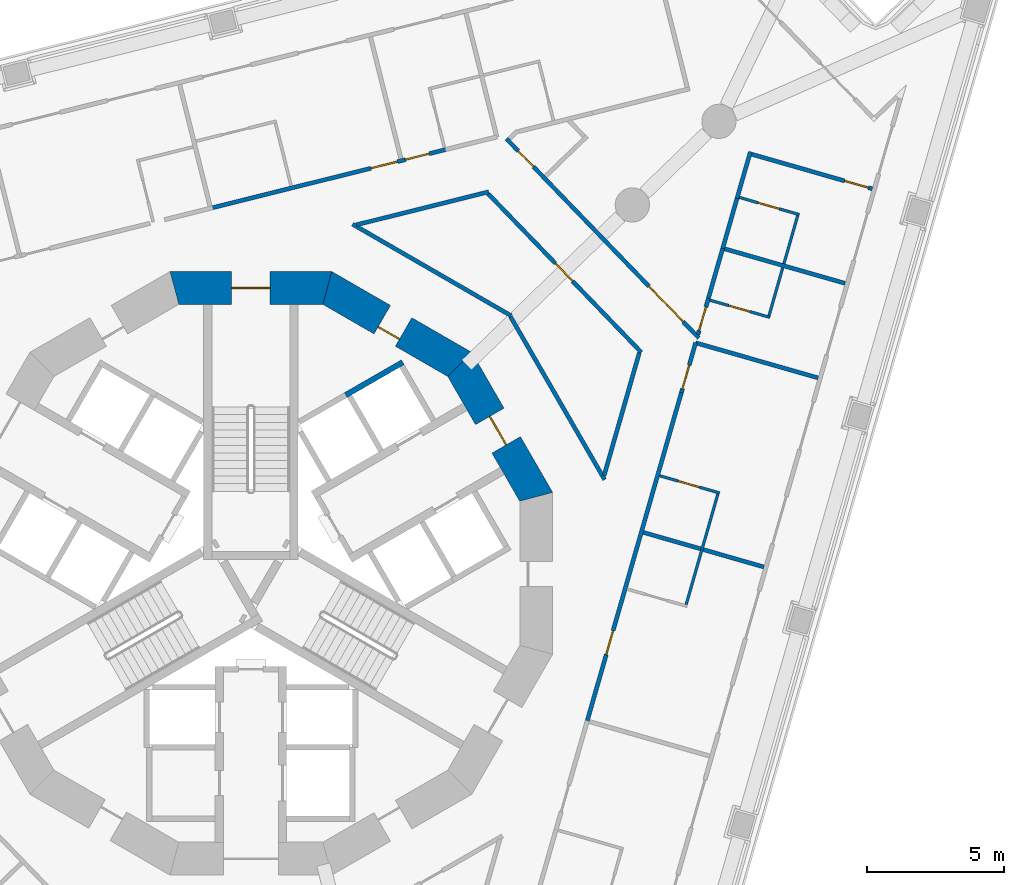
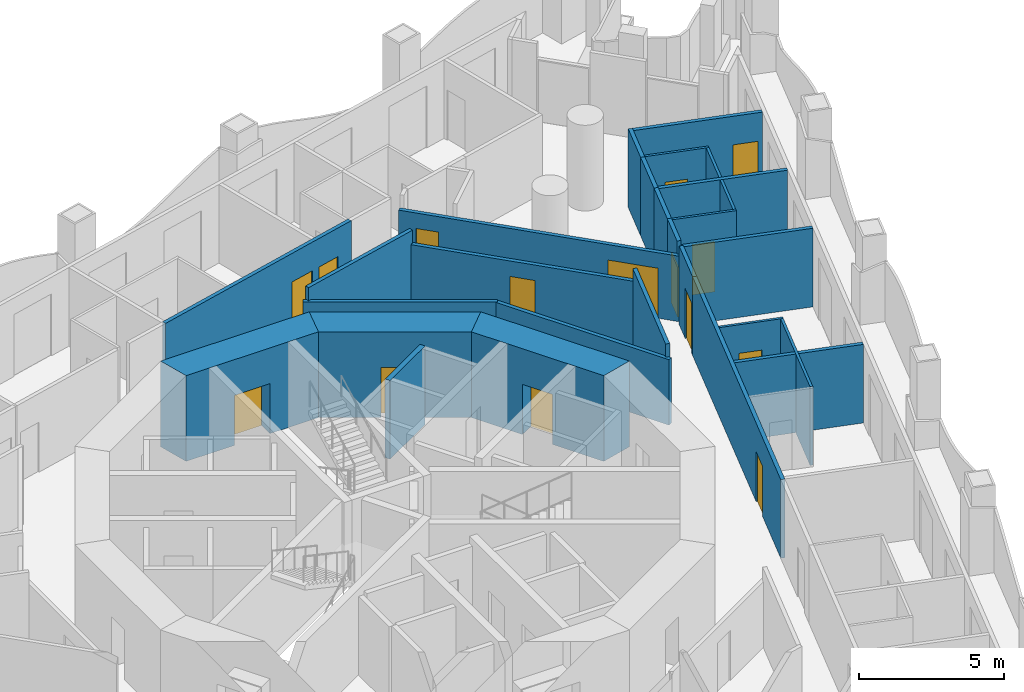
# One storey, part 9 of 18: 27 walls, 15 doors, 15 openings.
"""IFC4 building model written with IfcOpenShell, lengths in metres."""

from ifc_helpers import new_model, si_unit, direction, frame, frame_2d, origin, place, context, subcontext, project, spatial, polyline, rectangle, outline, extrude, material, layer, layer_set, type_object, element, fill, save


model = new_model("IFC4")

# Units and contexts
model_context = context("Model", 3, precision=1e-05, world=origin(), true_north=direction((0.0, 1.0)))
body_context = subcontext(model_context, "Body", "Model", "MODEL_VIEW")
ifc_project = project(units=[si_unit("LENGTHUNIT", "METRE"), si_unit("AREAUNIT", "SQUARE_METRE"), si_unit("VOLUMEUNIT", "CUBIC_METRE"), si_unit("PLANEANGLEUNIT", "RADIAN"), si_unit("MASSUNIT", "GRAM", prefix="KILO")], contexts=[model_context])

# Site, building, storey
site_placement = place(None, origin())
site = spatial("IfcSite", under=ifc_project, at=site_placement, CompositionType="ELEMENT")
building_placement = place(site_placement, origin())
building = spatial("IfcBuilding", under=site, at=building_placement, Name="Trine Commons Tower", CompositionType="ELEMENT")
storey_placement = place(building_placement, frame((0.0, 0.0, 90.89990234375)))
storey = spatial("IfcBuildingStorey", under=building, at=storey_placement, Name="L22", CompositionType="ELEMENT", Elevation=90.89990234375)

# Wall, opening, door
ifc_material_1 = material(Name="Concrete C70/85", Category="concrete")
ifc_layer_1 = layer(ifc_material_1, 1.199951171875)
ifc_layer_set_1 = layer_set([ifc_layer_1], Name="Concrete C70/85")
wall_type_1 = type_object("IfcWallType", Name="RC shear wall 1200 mm, C70/85", PredefinedType="SHEAR", material=ifc_layer_set_1)
wall_1_placement = place(storey_placement, frame((90.491943359375, 65.150390625, 0.0), z_axis=(0.0, 0.0, 1.0), x_axis=(-0.499979111662, 0.866037463336, 0.0)))
wall_1 = element("IfcWall", 1, at=wall_1_placement, inside=storey, type_object=wall_type_1, Name="Core wall CWC-02 L22", PredefinedType="SHEAR", context=body_context, shape_type="SweptSolid", body=[
    extrude(outline(polyline([(0.0, -0.60009765625), (5.901123046875, -0.60009765625), (5.57958984375, 0.60009765625), (0.321533203125, 0.60009765625), (0.0, -0.60009765625)])), origin(), (0.0, 0.0, 1.0), 3.60009765625),
])
opening_1_placement = place(wall_1_placement, frame((2.3505859375, 0.0, 0.0)))
opening_1 = element("IfcOpeningElement", 2, at=opening_1_placement, cuts=wall_1, Name="Opening K05.04", PredefinedType="OPENING", context=body_context, shape_type="SweptSolid", body=[
    extrude(rectangle(XDim=1.199951171875, YDim=2.10009765625, at=frame_2d((0.60009765625, 1.050048828125))), frame((0.0, 0.60986328125, 0.0), z_axis=(0.0, -1.0, 0.0), x_axis=(1.0, 0.0, 0.0)), (0.0, 0.0, 1.0), 1.219970703125),
])
ifc_material_2 = material(Name="Steel door leaves, fire-rated", Category="steel")
door_type_1 = type_object("IfcDoorType", Name="Lobby door, double leaf 1200 x 2100, FD60", OperationType="DOUBLE_DOOR_SINGLE_SWING", PredefinedType="DOOR", material=ifc_material_2)
door_1_placement = place(opening_1_placement, origin())
door_1 = element("IfcDoor", 3, at=door_1_placement, inside=storey, type_object=door_type_1, Name="Lobby door, Passenger lift lobby A L22", OperationType="DOUBLE_DOOR_SINGLE_SWING", OverallHeight=2.10009765625, OverallWidth=1.199951171875, PredefinedType="DOOR", context=body_context, shape_type="SweptSolid", body=[
    extrude(rectangle(XDim=1.199951171875, YDim=2.10009765625, at=frame_2d((0.60009765625, 1.050048828125))), frame((0.0, 0.02490234375, 0.0), z_axis=(0.0, -1.0, 0.0), x_axis=(1.0, 0.0, 0.0)), (0.0, 0.0, 1.0), 0.050048828125),
])
fill(opening_1, door_1)

wall_2_placement = place(storey_placement, frame((87.760986328125, 70.04150390625, 0.0), z_axis=(0.0, 0.0, 1.0), x_axis=(-0.866037463336, 0.499979111662, 0.0)))
wall_2 = element("IfcWall", 4, at=wall_2_placement, inside=storey, type_object=wall_type_1, Name="Core wall CWC-03 L22", PredefinedType="SHEAR", context=body_context, shape_type="SweptSolid", body=[
    extrude(outline(polyline([(0.0, -0.60009765625), (5.901123046875, -0.60009765625), (5.57958984375, 0.60009765625), (0.321533203125, 0.60009765625), (0.0, -0.60009765625)])), origin(), (0.0, 0.0, 1.0), 3.60009765625),
])
opening_2_placement = place(wall_2_placement, frame((2.526611328125, 0.0, 0.0)))
opening_2 = element("IfcOpeningElement", 5, at=opening_2_placement, cuts=wall_2, Name="Opening K05.11", PredefinedType="OPENING", context=body_context, shape_type="SweptSolid", body=[
    extrude(rectangle(XDim=0.89990234375, YDim=2.10009765625, at=frame_2d((0.449951171875, 1.050048828125))), frame((0.0, 0.60986328125, 0.0), z_axis=(0.0, -1.0, 0.0), x_axis=(1.0, 0.0, 0.0)), (0.0, 0.0, 1.0), 1.219970703125),
])
ifc_material_3 = material(Name="Steel door leaf, fire-rated", Category="steel")
door_type_2 = type_object("IfcDoorType", Name="Core room door, single leaf 900 x 2100, FD30S", OperationType="SINGLE_SWING_LEFT", PredefinedType="DOOR", material=ifc_material_3)
door_2_placement = place(opening_2_placement, origin())
door_2 = element("IfcDoor", 6, at=door_2_placement, inside=storey, type_object=door_type_2, Name="Door to Core WC L22", OperationType="SINGLE_SWING_RIGHT", OverallHeight=2.10009765625, OverallWidth=0.89990234375, PredefinedType="DOOR", context=body_context, shape_type="SweptSolid", body=[
    extrude(rectangle(XDim=0.89990234375, YDim=2.10009765625, at=frame_2d((0.449951171875, 1.050048828125))), frame((0.0, 0.3251953125, 0.0), z_axis=(0.0, -1.0, 0.0), x_axis=(1.0, 0.0, 0.0)), (0.0, 0.0, 1.0), 0.050048828125),
])
fill(opening_2, door_2)

wall_3_placement = place(storey_placement, frame((82.950439453125, 72.91162109375, 0.0), z_axis=(0.0, 0.0, 1.0), x_axis=(-1.0, 0.0, 0.0)))
wall_3 = element("IfcWall", 7, at=wall_3_placement, inside=storey, type_object=wall_type_1, Name="Core wall CWC-04 L22", PredefinedType="SHEAR", context=body_context, shape_type="SweptSolid", body=[
    extrude(outline(polyline([(0.0, -0.60009765625), (5.90087890625, -0.60009765625), (5.57958984375, 0.60009765625), (0.321533203125, 0.60009765625), (0.0, -0.60009765625)])), origin(), (0.0, 0.0, 1.0), 3.60009765625),
])
opening_3_placement = place(wall_3_placement, frame((2.25048828125, 0.0, 0.0)))
opening_3 = element("IfcOpeningElement", 8, at=opening_3_placement, cuts=wall_3, Name="Opening K05.01", PredefinedType="OPENING", context=body_context, shape_type="SweptSolid", body=[
    extrude(rectangle(XDim=1.39990234375, YDim=2.10009765625, at=frame_2d((0.699951171875, 1.050048828125))), frame((0.0, 0.60986328125, 0.0), z_axis=(0.0, -1.0, 0.0), x_axis=(1.0, 0.0, 0.0)), (0.0, 0.0, 1.0), 1.219970703125),
])
door_type_3 = type_object("IfcDoorType", Name="Stair door, double leaf 1400 x 2100, FD90", OperationType="DOUBLE_DOOR_SINGLE_SWING", PredefinedType="DOOR", material=ifc_material_2)
door_3_placement = place(opening_3_placement, origin())
door_3 = element("IfcDoor", 9, at=door_3_placement, inside=storey, type_object=door_type_3, Name="Stair door to Exit stair ST1A L22", OperationType="DOUBLE_DOOR_SINGLE_SWING", OverallHeight=2.10009765625, OverallWidth=1.39990234375, PredefinedType="DOOR", context=body_context, shape_type="SweptSolid", body=[
    extrude(rectangle(XDim=1.39990234375, YDim=2.10009765625, at=frame_2d((0.699951171875, 1.050048828125))), frame((0.0, 0.02490234375, 0.0), z_axis=(0.0, -1.0, 0.0), x_axis=(1.0, 0.0, 0.0)), (0.0, 0.0, 1.0), 0.050048828125),
])
fill(opening_3, door_3)

# Wall
ifc_material_4 = material(Name="Fire-rated gypsum shaft wall system")
ifc_layer_2 = layer(ifc_material_4, 0.199951171875)
ifc_layer_set_2 = layer_set([ifc_layer_2], Name="Fire-rated gypsum shaft wall system")
wall_type_2 = type_object("IfcWallType", Name="Shaft wall 200 mm, EI 120", PredefinedType="PARTITIONING", material=ifc_layer_set_2)
wall_4_placement = place(storey_placement, frame((83.4619140625, 69.001953125, 0.0), z_axis=(0.0, 0.0, 1.0), x_axis=(0.866202511239, 0.499693115345, 0.0)))
element("IfcWall", 10, at=wall_4_placement, inside=storey, type_object=wall_type_2, Name="Shaft wall L22", PredefinedType="PARTITIONING", context=body_context, shape_type="SweptSolid", body=[
    extrude(rectangle(XDim=2.4013671875, YDim=0.199951171875, at=frame_2d((1.20068359375, 0.0))), origin(), (0.0, 0.0, 1.0), 3.300048828125),
])

# Wall, openings, doors
ifc_material_5 = material(Name="Gypsum plasterboard on steel stud", Category="steel")
ifc_layer_3 = layer(ifc_material_5, 0.14990234375)
ifc_layer_set_3 = layer_set([ifc_layer_3], Name="Gypsum plasterboard on steel stud")
wall_type_3 = type_object("IfcWallType", Name="Unit and corridor wall 150 mm, EI 60", PredefinedType="PARTITIONING", material=ifc_layer_set_3)
wall_5_placement = place(storey_placement, frame((78.52392578125, 75.820068359375, 0.0), z_axis=(0.0, 0.0, 1.0), x_axis=(0.970312206825, 0.241855786133, 0.0)))
wall_5 = element("IfcWall", 11, at=wall_5_placement, inside=storey, type_object=wall_type_3, Name="Partition 063", PredefinedType="PARTITIONING", context=body_context, shape_type="SweptSolid", body=[
    extrude(rectangle(XDim=8.873046875, YDim=0.14990234375, at=frame_2d((4.4365234375, 0.0))), origin(), (0.0, 0.0, 1.0), 3.300048828125),
])
opening_4_placement = place(wall_5_placement, frame((6.0302734375, 0.0, 0.0)))
opening_4 = element("IfcOpeningElement", 12, at=opening_4_placement, cuts=wall_5, Name="Opening D-3A12", PredefinedType="OPENING", context=body_context, shape_type="SweptSolid", body=[
    extrude(rectangle(XDim=1.0, YDim=2.10009765625, at=frame_2d((0.5, 1.050048828125))), frame((0.0, 0.0849609375, 0.0), z_axis=(0.0, -1.0, 0.0), x_axis=(1.0, 0.0, 0.0)), (0.0, 0.0, 1.0), 0.169921875),
])
opening_5_placement = place(wall_5_placement, frame((7.330322265625, 0.0, 0.0)))
opening_5 = element("IfcOpeningElement", 13, at=opening_5_placement, cuts=wall_5, Name="Opening D-3A13", PredefinedType="OPENING", context=body_context, shape_type="SweptSolid", body=[
    extrude(rectangle(XDim=0.89990234375, YDim=2.10009765625, at=frame_2d((0.449951171875, 1.050048828125))), frame((0.0, 0.0849609375, 0.0), z_axis=(0.0, -1.0, 0.0), x_axis=(1.0, 0.0, 0.0)), (0.0, 0.0, 1.0), 0.169921875),
])
ifc_material_6 = material(Name="Timber fire door set", Category="wood")
door_type_4 = type_object("IfcDoorType", Name="Bedroom door 1000 x 2100, FD30S", OperationType="NOTDEFINED", PredefinedType="DOOR", material=ifc_material_6)
door_4_placement = place(opening_4_placement, origin())
door_4 = element("IfcDoor", 14, at=door_4_placement, inside=storey, type_object=door_type_4, Name="Door D-3A12", OperationType="SINGLE_SWING_RIGHT", OverallHeight=2.10009765625, OverallWidth=1.0, PredefinedType="DOOR", context=body_context, shape_type="SweptSolid", body=[
    extrude(rectangle(XDim=1.0, YDim=2.10009765625, at=frame_2d((0.5, 1.050048828125))), frame((0.0, 0.02490234375, 0.0), z_axis=(0.0, -1.0, 0.0), x_axis=(1.0, 0.0, 0.0)), (0.0, 0.0, 1.0), 0.050048828125),
])
fill(opening_4, door_4)
door_type_5 = type_object("IfcDoorType", Name="Bedroom door 900 x 2100, FD30S", OperationType="NOTDEFINED", PredefinedType="DOOR", material=ifc_material_6)
door_5_placement = place(opening_5_placement, origin())
door_5 = element("IfcDoor", 15, at=door_5_placement, inside=storey, type_object=door_type_5, Name="Door D-3A13", OperationType="SINGLE_SWING_RIGHT", OverallHeight=2.10009765625, OverallWidth=0.89990234375, PredefinedType="DOOR", context=body_context, shape_type="SweptSolid", body=[
    extrude(rectangle(XDim=0.89990234375, YDim=2.10009765625, at=frame_2d((0.449951171875, 1.050048828125))), frame((0.0, 0.02490234375, 0.0), z_axis=(0.0, -1.0, 0.0), x_axis=(1.0, 0.0, 0.0)), (0.0, 0.0, 1.0), 0.050048828125),
])
fill(opening_5, door_5)

# Walls
wall_6_placement = place(storey_placement, frame((83.7119140625, 75.237548828125, 0.0), z_axis=(0.0, 0.0, 1.0), x_axis=(0.866033484359, -0.499986003774, 0.0)))
element("IfcWall", 16, at=wall_6_placement, inside=storey, type_object=wall_type_3, Name="Partition 074", PredefinedType="PARTITIONING", context=body_context, shape_type="SweptSolid", body=[
    extrude(rectangle(XDim=6.682373046875, YDim=0.14990234375, at=frame_2d((3.34130859375, 0.0))), origin(), (0.0, 0.0, 1.0), 2.75),
])
wall_7_placement = place(storey_placement, frame((83.852783203125, 75.216064453125, 0.0), z_axis=(0.0, 0.0, 1.0), x_axis=(0.970312588938, 0.241854253112, 0.0)))
element("IfcWall", 17, at=wall_7_placement, inside=storey, type_object=wall_type_3, Name="Partition 075", PredefinedType="PARTITIONING", context=body_context, shape_type="SweptSolid", body=[
    extrude(rectangle(XDim=4.974609375, YDim=0.14990234375, at=frame_2d((2.4873046875, 0.0))), origin(), (0.0, 0.0, 1.0), 3.300048828125),
])

# Wall, opening, door
wall_8_placement = place(storey_placement, frame((88.6591796875, 76.34716796875, 0.0), z_axis=(0.0, 0.0, 1.0), x_axis=(0.694672534157, -0.719326122345, 0.0)))
wall_8 = element("IfcWall", 18, at=wall_8_placement, inside=storey, type_object=wall_type_3, Name="Partition 094", PredefinedType="PARTITIONING", context=body_context, shape_type="SweptSolid", body=[
    extrude(rectangle(XDim=8.041015625, YDim=0.14990234375, at=frame_2d((4.0205078125, 0.0))), origin(), (0.0, 0.0, 1.0), 2.75),
])
opening_6_placement = place(wall_8_placement, frame((3.533203125, 0.0, 0.0)))
opening_6 = element("IfcOpeningElement", 19, at=opening_6_placement, cuts=wall_8, Name="Opening D-3A29", PredefinedType="OPENING", context=body_context, shape_type="SweptSolid", body=[
    extrude(rectangle(XDim=0.89990234375, YDim=2.10009765625, at=frame_2d((0.449951171875, 1.050048828125))), frame((0.0, 0.0849609375, 0.0), z_axis=(0.0, -1.0, 0.0), x_axis=(1.0, 0.0, 0.0)), (0.0, 0.0, 1.0), 0.169921875),
])
door_type_6 = type_object("IfcDoorType", Name="Service door 900 x 2100, FD30S", OperationType="NOTDEFINED", PredefinedType="DOOR", material=ifc_material_6)
door_6_placement = place(opening_6_placement, frame((0.89990234375, 0.0, 0.0), z_axis=(0.0, 0.0, 1.0), x_axis=(-1.0, 0.0, 0.0)))
door_6 = element("IfcDoor", 20, at=door_6_placement, inside=storey, type_object=door_type_6, Name="Door D-3A29", OperationType="SINGLE_SWING_RIGHT", OverallHeight=2.10009765625, OverallWidth=0.89990234375, PredefinedType="DOOR", context=body_context, shape_type="SweptSolid", body=[
    extrude(rectangle(XDim=0.89990234375, YDim=2.10009765625, at=frame_2d((0.449951171875, 1.050048828125))), frame((0.0, 0.02490234375, 0.0), z_axis=(0.0, -1.0, 0.0), x_axis=(1.0, 0.0, 0.0)), (0.0, 0.0, 1.0), 0.050048828125),
])
fill(opening_6, door_6)

# Wall, openings, doors
wall_9_placement = place(storey_placement, frame((89.322998046875, 78.35791015625, 0.0), z_axis=(0.0, 0.0, 1.0), x_axis=(0.694707851552, -0.719292013713, 0.0)))
wall_9 = element("IfcWall", 21, at=wall_9_placement, inside=storey, type_object=wall_type_3, Name="Partition 098", PredefinedType="PARTITIONING", context=body_context, shape_type="SweptSolid", body=[
    extrude(rectangle(XDim=10.109619140625, YDim=0.14990234375, at=frame_2d((5.0546875, 0.0))), origin(), (0.0, 0.0, 1.0), 2.75),
])
opening_7_placement = place(wall_9_placement, frame((7.484130859375, 0.0, 0.0)))
opening_7 = element("IfcOpeningElement", 22, at=opening_7_placement, cuts=wall_9, Name="Opening D-3A01", PredefinedType="OPENING", context=body_context, shape_type="SweptSolid", body=[
    extrude(rectangle(XDim=1.800048828125, YDim=2.10009765625, at=frame_2d((0.89990234375, 1.050048828125))), frame((0.0, 0.0849609375, 0.0), z_axis=(0.0, -1.0, 0.0), x_axis=(1.0, 0.0, 0.0)), (0.0, 0.0, 1.0), 0.169921875),
])
opening_8_placement = place(wall_9_placement, frame((0.628662109375, 0.0, 0.0)))
opening_8 = element("IfcOpeningElement", 23, at=opening_8_placement, cuts=wall_9, Name="Opening D-3A04", PredefinedType="OPENING", context=body_context, shape_type="SweptSolid", body=[
    extrude(rectangle(XDim=0.800048828125, YDim=2.10009765625, at=frame_2d((0.39990234375, 1.050048828125))), frame((0.0, 0.0849609375, 0.0), z_axis=(0.0, -1.0, 0.0), x_axis=(1.0, 0.0, 0.0)), (0.0, 0.0, 1.0), 0.169921875),
])
door_type_7 = type_object("IfcDoorType", Name="Cluster entrance door 1800 x 2100, double leaf, FD30S", OperationType="DOUBLE_DOOR_DOUBLE_SWING", PredefinedType="DOOR", material=ifc_material_6)
door_7_placement = place(opening_7_placement, origin())
door_7 = element("IfcDoor", 24, at=door_7_placement, inside=storey, type_object=door_type_7, Name="Door D-3A01", OperationType="DOUBLE_DOOR_DOUBLE_SWING", OverallHeight=2.10009765625, OverallWidth=1.800048828125, PredefinedType="DOOR", context=body_context, shape_type="SweptSolid", body=[
    extrude(rectangle(XDim=1.800048828125, YDim=2.10009765625, at=frame_2d((0.89990234375, 1.050048828125))), frame((0.0, 0.02490234375, 0.0), z_axis=(0.0, -1.0, 0.0), x_axis=(1.0, 0.0, 0.0)), (0.0, 0.0, 1.0), 0.050048828125),
])
fill(opening_7, door_7)
ifc_material_7 = material(Name="Painted timber", Category="wood")
door_type_8 = type_object("IfcDoorType", Name="Toilet door 800 x 2100, NOT RATED", OperationType="NOTDEFINED", PredefinedType="DOOR", material=ifc_material_7)
door_8_placement = place(opening_8_placement, origin())
door_8 = element("IfcDoor", 25, at=door_8_placement, inside=storey, type_object=door_type_8, Name="Door D-3A04", OperationType="SINGLE_SWING_LEFT", OverallHeight=2.10009765625, OverallWidth=0.800048828125, PredefinedType="DOOR", context=body_context, shape_type="SweptSolid", body=[
    extrude(rectangle(XDim=0.800048828125, YDim=2.10009765625, at=frame_2d((0.39990234375, 1.050048828125))), frame((0.0, 0.02490234375, 0.0), z_axis=(0.0, -1.0, 0.0), x_axis=(1.0, 0.0, 0.0)), (0.0, 0.0, 1.0), 0.050048828125),
])
fill(opening_8, door_8)

# Wall
wall_10_placement = place(storey_placement, frame((89.471435546875, 71.868896484375, 0.0), z_axis=(0.0, 0.0, 1.0), x_axis=(0.500000410344, -0.866025166872, 0.0)))
element("IfcWall", 26, at=wall_10_placement, inside=storey, type_object=wall_type_3, Name="Partition 100", PredefinedType="PARTITIONING", context=body_context, shape_type="SweptSolid", body=[
    extrude(rectangle(XDim=6.8681640625, YDim=0.14990234375, at=frame_2d((3.43408203125, 0.0))), origin(), (0.0, 0.0, 1.0), 2.75),
])

# Wall, opening, door
wall_11_placement = place(storey_placement, frame((92.250244140625, 57.037841796875, 0.0), z_axis=(0.0, 0.0, 1.0), x_axis=(0.275659542854, 0.961255333631, 0.0)))
wall_11 = element("IfcWall", 27, at=wall_11_placement, inside=storey, type_object=wall_type_3, Name="Partition 111", PredefinedType="PARTITIONING", context=body_context, shape_type="SweptSolid", body=[
    extrude(rectangle(XDim=12.5400390625, YDim=0.14990234375, at=frame_2d((6.27001953125, 0.0))), origin(), (0.0, 0.0, 1.0), 3.300048828125),
])
opening_9_placement = place(wall_11_placement, frame((2.60205078125, 0.0, 0.0)))
opening_9 = element("IfcOpeningElement", 28, at=opening_9_placement, cuts=wall_11, Name="Opening D-3A18", PredefinedType="OPENING", context=body_context, shape_type="SweptSolid", body=[
    extrude(rectangle(XDim=0.89990234375, YDim=2.10009765625, at=frame_2d((0.449951171875, 1.050048828125))), frame((0.0, 0.0849609375, 0.0), z_axis=(0.0, -1.0, 0.0), x_axis=(1.0, 0.0, 0.0)), (0.0, 0.0, 1.0), 0.169921875),
])
door_9_placement = place(opening_9_placement, frame((0.89990234375, 0.0, 0.0), z_axis=(0.0, 0.0, 1.0), x_axis=(-1.0, 0.0, 0.0)))
door_9 = element("IfcDoor", 29, at=door_9_placement, inside=storey, type_object=door_type_5, Name="Door D-3A18", OperationType="SINGLE_SWING_RIGHT", OverallHeight=2.10009765625, OverallWidth=0.89990234375, PredefinedType="DOOR", context=body_context, shape_type="SweptSolid", body=[
    extrude(rectangle(XDim=0.89990234375, YDim=2.10009765625, at=frame_2d((0.449951171875, 1.050048828125))), frame((0.0, 0.02490234375, 0.0), z_axis=(0.0, -1.0, 0.0), x_axis=(1.0, 0.0, 0.0)), (0.0, 0.0, 1.0), 0.050048828125),
])
fill(opening_9, door_9)

# Walls
wall_12_placement = place(storey_placement, frame((92.88671875, 66.06103515625, 0.0), z_axis=(0.0, 0.0, 1.0), x_axis=(0.275619666794, 0.961266768008, 0.0)))
element("IfcWall", 30, at=wall_12_placement, inside=storey, type_object=wall_type_3, Name="Partition 115", PredefinedType="PARTITIONING", context=body_context, shape_type="SweptSolid", body=[
    extrude(rectangle(XDim=4.66455078125, YDim=0.14990234375, at=frame_2d((2.332275390625, 0.0))), origin(), (0.0, 0.0, 1.0), 3.300048828125),
])
wall_13_placement = place(storey_placement, frame((94.322021484375, 63.9921875, 0.0), z_axis=(0.0, 0.0, 1.0), x_axis=(0.961269673231, -0.275609534171, 0.0)))
element("IfcWall", 31, at=wall_13_placement, inside=storey, type_object=wall_type_3, Name="Partition 117", PredefinedType="PARTITIONING", context=body_context, shape_type="SweptSolid", body=[
    extrude(rectangle(XDim=4.572509765625, YDim=0.14990234375, at=frame_2d((2.2861328125, 0.0))), origin(), (0.0, 0.0, 1.0), 3.300048828125),
])

# Wall, opening, door
wall_14_placement = place(storey_placement, frame((95.70703125, 69.092041015625, 0.0), z_axis=(0.0, 0.0, 1.0), x_axis=(0.275265230362, 0.961368323253, 0.0)))
wall_14 = element("IfcWall", 32, at=wall_14_placement, inside=storey, type_object=wall_type_3, Name="Partition 120", PredefinedType="PARTITIONING", context=body_context, shape_type="SweptSolid", body=[
    extrude(rectangle(XDim=1.896240234375, YDim=0.14990234375, at=frame_2d((0.9482421875, 0.0))), origin(), (0.0, 0.0, 1.0), 3.300048828125),
])
opening_10_placement = place(wall_14_placement, frame((0.14990234375, 0.0, 0.0)))
opening_10 = element("IfcOpeningElement", 33, at=opening_10_placement, cuts=wall_14, Name="Opening D-3A17", PredefinedType="OPENING", context=body_context, shape_type="SweptSolid", body=[
    extrude(rectangle(XDim=0.89990234375, YDim=2.10009765625, at=frame_2d((0.449951171875, 1.050048828125))), frame((0.0, 0.0849609375, 0.0), z_axis=(0.0, -1.0, 0.0), x_axis=(1.0, 0.0, 0.0)), (0.0, 0.0, 1.0), 0.169921875),
])
door_10_placement = place(opening_10_placement, frame((0.89990234375, 0.0, 0.0), z_axis=(0.0, 0.0, 1.0), x_axis=(-1.0, 0.0, 0.0)))
door_10 = element("IfcDoor", 34, at=door_10_placement, inside=storey, type_object=door_type_5, Name="Door D-3A17", OperationType="SINGLE_SWING_RIGHT", OverallHeight=2.10009765625, OverallWidth=0.89990234375, PredefinedType="DOOR", context=body_context, shape_type="SweptSolid", body=[
    extrude(rectangle(XDim=0.89990234375, YDim=2.10009765625, at=frame_2d((0.449951171875, 1.050048828125))), frame((0.0, 0.02490234375, 0.0), z_axis=(0.0, -1.0, 0.0), x_axis=(1.0, 0.0, 0.0)), (0.0, 0.0, 1.0), 0.050048828125),
])
fill(opening_10, door_10)

# Wall
wall_15_placement = place(storey_placement, frame((96.22802734375, 70.910888671875, 0.0), z_axis=(0.0, 0.0, 1.0), x_axis=(0.961263836782, -0.275629889699, 0.0)))
element("IfcWall", 35, at=wall_15_placement, inside=storey, type_object=wall_type_3, Name="Partition 122", PredefinedType="PARTITIONING", context=body_context, shape_type="SweptSolid", body=[
    extrude(rectangle(XDim=4.6474609375, YDim=0.14990234375, at=frame_2d((2.32373046875, 0.0))), origin(), (0.0, 0.0, 1.0), 3.300048828125),
])

# Wall, opening, door
wall_16_placement = place(storey_placement, frame((96.314697265625, 71.212158203125, 0.0), z_axis=(0.0, 0.0, 1.0), x_axis=(0.275585969496, 0.961276429242, 0.0)))
wall_16 = element("IfcWall", 36, at=wall_16_placement, inside=storey, type_object=wall_type_3, Name="Partition 123", PredefinedType="PARTITIONING", context=body_context, shape_type="SweptSolid", body=[
    extrude(rectangle(XDim=1.37939453125, YDim=0.14990234375, at=frame_2d((0.689697265625, 0.0))), origin(), (0.0, 0.0, 1.0), 3.300048828125),
])
opening_11_placement = place(wall_16_placement, frame((0.14990234375, 0.0, 0.0)))
opening_11 = element("IfcOpeningElement", 37, at=opening_11_placement, cuts=wall_16, Name="Opening D-3A16", PredefinedType="OPENING", context=body_context, shape_type="SweptSolid", body=[
    extrude(rectangle(XDim=0.89990234375, YDim=2.10009765625, at=frame_2d((0.449951171875, 1.050048828125))), frame((0.0, 0.0849609375, 0.0), z_axis=(0.0, -1.0, 0.0), x_axis=(1.0, 0.0, 0.0)), (0.0, 0.0, 1.0), 0.169921875),
])
door_11_placement = place(opening_11_placement, frame((0.89990234375, 0.0, 0.0), z_axis=(0.0, 0.0, 1.0), x_axis=(-1.0, 0.0, 0.0)))
door_11 = element("IfcDoor", 38, at=door_11_placement, inside=storey, type_object=door_type_5, Name="Door D-3A16", OperationType="SINGLE_SWING_RIGHT", OverallHeight=2.10009765625, OverallWidth=0.89990234375, PredefinedType="DOOR", context=body_context, shape_type="SweptSolid", body=[
    extrude(rectangle(XDim=0.89990234375, YDim=2.10009765625, at=frame_2d((0.449951171875, 1.050048828125))), frame((0.0, 0.02490234375, 0.0), z_axis=(0.0, -1.0, 0.0), x_axis=(1.0, 0.0, 0.0)), (0.0, 0.0, 1.0), 0.050048828125),
])
fill(opening_11, door_11)

# Walls
wall_17_placement = place(storey_placement, frame((96.678955078125, 72.48193359375, 0.0), z_axis=(0.0, 0.0, 1.0), x_axis=(0.27541423688, 0.961325646243, 0.0)))
element("IfcWall", 39, at=wall_17_placement, inside=storey, type_object=wall_type_3, Name="Partition 124", PredefinedType="PARTITIONING", context=body_context, shape_type="SweptSolid", body=[
    extrude(rectangle(XDim=1.95361328125, YDim=0.14990234375, at=frame_2d((0.976806640625, 0.0))), origin(), (0.0, 0.0, 1.0), 3.300048828125),
])
wall_18_placement = place(storey_placement, frame((97.217041015625, 74.360107421875, 0.0), z_axis=(0.0, 0.0, 1.0), x_axis=(0.275776711259, 0.961221725476, 0.0)))
element("IfcWall", 40, at=wall_18_placement, inside=storey, type_object=wall_type_3, Name="Partition 126", PredefinedType="PARTITIONING", context=body_context, shape_type="SweptSolid", body=[
    extrude(rectangle(XDim=1.95458984375, YDim=0.14990234375, at=frame_2d((0.977294921875, 0.0))), origin(), (0.0, 0.0, 1.0), 3.300048828125),
])
wall_19_placement = place(storey_placement, frame((97.2890625, 74.33935546875, 0.0), z_axis=(0.0, 0.0, 1.0), x_axis=(0.961269673231, -0.275609534171, 0.0)))
element("IfcWall", 41, at=wall_19_placement, inside=storey, type_object=wall_type_3, Name="Partition 127", PredefinedType="PARTITIONING", context=body_context, shape_type="SweptSolid", body=[
    extrude(rectangle(XDim=4.572509765625, YDim=0.14990234375, at=frame_2d((2.2861328125, 0.0))), origin(), (0.0, 0.0, 1.0), 3.300048828125),
])
wall_20_placement = place(storey_placement, frame((97.7392578125, 76.183837890625, 0.0), z_axis=(0.0, 0.0, 1.0), x_axis=(0.275943660428, 0.961173811685, 0.0)))
element("IfcWall", 42, at=wall_20_placement, inside=storey, type_object=wall_type_3, Name="Partition 128", PredefinedType="PARTITIONING", context=body_context, shape_type="SweptSolid", body=[
    extrude(rectangle(XDim=1.766845703125, YDim=0.14990234375, at=frame_2d((0.88330078125, 0.0))), origin(), (0.0, 0.0, 1.0), 3.300048828125),
])

# Wall, opening, door
wall_21_placement = place(storey_placement, frame((98.278076171875, 77.789306640625, 0.0), z_axis=(0.0, 0.0, 1.0), x_axis=(0.961269673231, -0.275609534171, 0.0)))
wall_21 = element("IfcWall", 43, at=wall_21_placement, inside=storey, type_object=wall_type_3, Name="Partition 130", PredefinedType="PARTITIONING", context=body_context, shape_type="SweptSolid", body=[
    extrude(rectangle(XDim=4.572509765625, YDim=0.14990234375, at=frame_2d((2.2861328125, 0.0))), origin(), (0.0, 0.0, 1.0), 3.300048828125),
])
opening_12_placement = place(wall_21_placement, frame((3.522705078125, 0.0, 0.0)))
opening_12 = element("IfcOpeningElement", 44, at=opening_12_placement, cuts=wall_21, Name="Opening D-3A15", PredefinedType="OPENING", context=body_context, shape_type="SweptSolid", body=[
    extrude(rectangle(XDim=0.89990234375, YDim=2.10009765625, at=frame_2d((0.449951171875, 1.050048828125))), frame((0.0, 0.0849609375, 0.0), z_axis=(0.0, -1.0, 0.0), x_axis=(1.0, 0.0, 0.0)), (0.0, 0.0, 1.0), 0.169921875),
])
door_12_placement = place(opening_12_placement, frame((0.89990234375, 0.0, 0.0), z_axis=(0.0, 0.0, 1.0), x_axis=(-1.0, 0.0, 0.0)))
door_12 = element("IfcDoor", 45, at=door_12_placement, inside=storey, type_object=door_type_5, Name="Door D-3A15", OperationType="SINGLE_SWING_LEFT", OverallHeight=2.10009765625, OverallWidth=0.89990234375, PredefinedType="DOOR", context=body_context, shape_type="SweptSolid", body=[
    extrude(rectangle(XDim=0.89990234375, YDim=2.10009765625, at=frame_2d((0.449951171875, 1.050048828125))), frame((0.0, 0.02490234375, 0.0), z_axis=(0.0, -1.0, 0.0), x_axis=(1.0, 0.0, 0.0)), (0.0, 0.0, 1.0), 0.050048828125),
])
fill(opening_12, door_12)

ifc_layer_4 = layer(ifc_material_5, 0.10009765625)
ifc_layer_set_4 = layer_set([ifc_layer_4], Name="Gypsum plasterboard on steel stud")
wall_type_4 = type_object("IfcWallType", Name="Unit partition 100 mm, no rating", PredefinedType="PARTITIONING", material=ifc_layer_set_4)
wall_22_placement = place(storey_placement, frame((94.9150390625, 66.059326171875, 0.0), z_axis=(0.0, 0.0, 1.0), x_axis=(0.961252175385, -0.275670555767, 0.0)))
wall_22 = element("IfcWall", 46, at=wall_22_placement, inside=storey, type_object=wall_type_4, Name="Partition 119", PredefinedType="PARTITIONING", context=body_context, shape_type="SweptSolid", body=[
    extrude(rectangle(XDim=2.275146484375, YDim=0.10009765625, at=frame_2d((1.1376953125, 0.0))), origin(), (0.0, 0.0, 1.0), 3.300048828125),
])
opening_13_placement = place(wall_22_placement, frame((0.71240234375, 0.0, 0.0)))
opening_13 = element("IfcOpeningElement", 47, at=opening_13_placement, cuts=wall_22, Name="Opening D-3A46", PredefinedType="OPENING", context=body_context, shape_type="SweptSolid", body=[
    extrude(rectangle(XDim=0.800048828125, YDim=2.10009765625, at=frame_2d((0.39990234375, 1.050048828125))), frame((0.0, 0.06005859375, 0.0), z_axis=(0.0, -1.0, 0.0), x_axis=(1.0, 0.0, 0.0)), (0.0, 0.0, 1.0), 0.1201171875),
])
door_type_9 = type_object("IfcDoorType", Name="Internal door 800 x 2100, NOT RATED", OperationType="NOTDEFINED", PredefinedType="DOOR", material=ifc_material_7)
door_13_placement = place(opening_13_placement, origin())
door_13 = element("IfcDoor", 48, at=door_13_placement, inside=storey, type_object=door_type_9, Name="Door D-3A46", OperationType="SINGLE_SWING_LEFT", OverallHeight=2.10009765625, OverallWidth=0.800048828125, PredefinedType="DOOR", context=body_context, shape_type="SweptSolid", body=[
    extrude(rectangle(XDim=0.800048828125, YDim=2.10009765625, at=frame_2d((0.39990234375, 1.050048828125))), frame((0.0, 0.02490234375, 0.0), z_axis=(0.0, -1.0, 0.0), x_axis=(1.0, 0.0, 0.0)), (0.0, 0.0, 1.0), 0.050048828125),
])
fill(opening_13, door_13)

# Wall
wall_23_placement = place(storey_placement, frame((95.8818359375, 61.360107421875, 0.0), z_axis=(0.0, 0.0, 1.0), x_axis=(0.275772580604, 0.961222910561, 0.0)))
element("IfcWall", 49, at=wall_23_placement, inside=storey, type_object=wall_type_4, Name="Partition 121", PredefinedType="PARTITIONING", context=body_context, shape_type="SweptSolid", body=[
    extrude(rectangle(XDim=4.20068359375, YDim=0.10009765625, at=frame_2d((2.100341796875, 0.0))), origin(), (0.0, 0.0, 1.0), 3.300048828125),
])

# Wall, opening, door
wall_24_placement = place(storey_placement, frame((96.752197265625, 72.46533203125, 0.0), z_axis=(0.0, 0.0, 1.0), x_axis=(0.961252175385, -0.275670555767, 0.0)))
wall_24 = element("IfcWall", 50, at=wall_24_placement, inside=storey, type_object=wall_type_4, Name="Partition 125", PredefinedType="PARTITIONING", context=body_context, shape_type="SweptSolid", body=[
    extrude(rectangle(XDim=2.275146484375, YDim=0.10009765625, at=frame_2d((1.1376953125, 0.0))), origin(), (0.0, 0.0, 1.0), 3.300048828125),
])
opening_14_placement = place(wall_24_placement, frame((0.71240234375, 0.0, 0.0)))
opening_14 = element("IfcOpeningElement", 51, at=opening_14_placement, cuts=wall_24, Name="Opening D-3A45", PredefinedType="OPENING", context=body_context, shape_type="SweptSolid", body=[
    extrude(rectangle(XDim=0.800048828125, YDim=2.10009765625, at=frame_2d((0.39990234375, 1.050048828125))), frame((0.0, 0.06005859375, 0.0), z_axis=(0.0, -1.0, 0.0), x_axis=(1.0, 0.0, 0.0)), (0.0, 0.0, 1.0), 0.1201171875),
])
door_14_placement = place(opening_14_placement, frame((0.800048828125, 0.0, 0.0), z_axis=(0.0, 0.0, 1.0), x_axis=(-1.0, 0.0, 0.0)))
door_14 = element("IfcDoor", 52, at=door_14_placement, inside=storey, type_object=door_type_9, Name="Door D-3A45", OperationType="SINGLE_SWING_RIGHT", OverallHeight=2.10009765625, OverallWidth=0.800048828125, PredefinedType="DOOR", context=body_context, shape_type="SweptSolid", body=[
    extrude(rectangle(XDim=0.800048828125, YDim=2.10009765625, at=frame_2d((0.39990234375, 1.050048828125))), frame((0.0, 0.02490234375, 0.0), z_axis=(0.0, -1.0, 0.0), x_axis=(1.0, 0.0, 0.0)), (0.0, 0.0, 1.0), 0.050048828125),
])
fill(opening_14, door_14)

wall_25_placement = place(storey_placement, frame((97.8271484375, 76.21435546875, 0.0), z_axis=(0.0, 0.0, 1.0), x_axis=(0.961252175385, -0.275670555767, 0.0)))
wall_25 = element("IfcWall", 53, at=wall_25_placement, inside=storey, type_object=wall_type_4, Name="Partition 129", PredefinedType="PARTITIONING", context=body_context, shape_type="SweptSolid", body=[
    extrude(rectangle(XDim=2.275146484375, YDim=0.10009765625, at=frame_2d((1.1376953125, 0.0))), origin(), (0.0, 0.0, 1.0), 3.300048828125),
])
opening_15_placement = place(wall_25_placement, frame((0.71240234375, 0.0, 0.0)))
opening_15 = element("IfcOpeningElement", 54, at=opening_15_placement, cuts=wall_25, Name="Opening D-3A44", PredefinedType="OPENING", context=body_context, shape_type="SweptSolid", body=[
    extrude(rectangle(XDim=0.800048828125, YDim=2.10009765625, at=frame_2d((0.39990234375, 1.050048828125))), frame((0.0, 0.06005859375, 0.0), z_axis=(0.0, -1.0, 0.0), x_axis=(1.0, 0.0, 0.0)), (0.0, 0.0, 1.0), 0.1201171875),
])
door_15_placement = place(opening_15_placement, origin())
door_15 = element("IfcDoor", 55, at=door_15_placement, inside=storey, type_object=door_type_9, Name="Door D-3A44", OperationType="SINGLE_SWING_LEFT", OverallHeight=2.10009765625, OverallWidth=0.800048828125, PredefinedType="DOOR", context=body_context, shape_type="SweptSolid", body=[
    extrude(rectangle(XDim=0.800048828125, YDim=2.10009765625, at=frame_2d((0.39990234375, 1.050048828125))), frame((0.0, 0.02490234375, 0.0), z_axis=(0.0, -1.0, 0.0), x_axis=(1.0, 0.0, 0.0)), (0.0, 0.0, 1.0), 0.050048828125),
])
fill(opening_15, door_15)

# Walls
wall_26_placement = place(storey_placement, frame((98.90478515625, 71.900146484375, 0.0), z_axis=(0.0, 0.0, 1.0), x_axis=(0.275428095327, 0.96132167577, 0.0)))
element("IfcWall", 56, at=wall_26_placement, inside=storey, type_object=wall_type_4, Name="Partition 131", PredefinedType="PARTITIONING", context=body_context, shape_type="SweptSolid", body=[
    extrude(rectangle(XDim=1.82421875, YDim=0.10009765625, at=frame_2d((0.912109375, 0.0))), origin(), (0.0, 0.0, 1.0), 3.300048828125),
])
wall_27_placement = place(storey_placement, frame((99.44873046875, 73.798095703125, 0.0), z_axis=(0.0, 0.0, 1.0), x_axis=(0.275745372376, 0.96123071612, 0.0)))
element("IfcWall", 57, at=wall_27_placement, inside=storey, type_object=wall_type_4, Name="Partition 132", PredefinedType="PARTITIONING", context=body_context, shape_type="SweptSolid", body=[
    extrude(rectangle(XDim=1.82568359375, YDim=0.10009765625, at=frame_2d((0.912841796875, 0.0))), origin(), (0.0, 0.0, 1.0), 3.300048828125),
])

save(model, "model.ifc")
